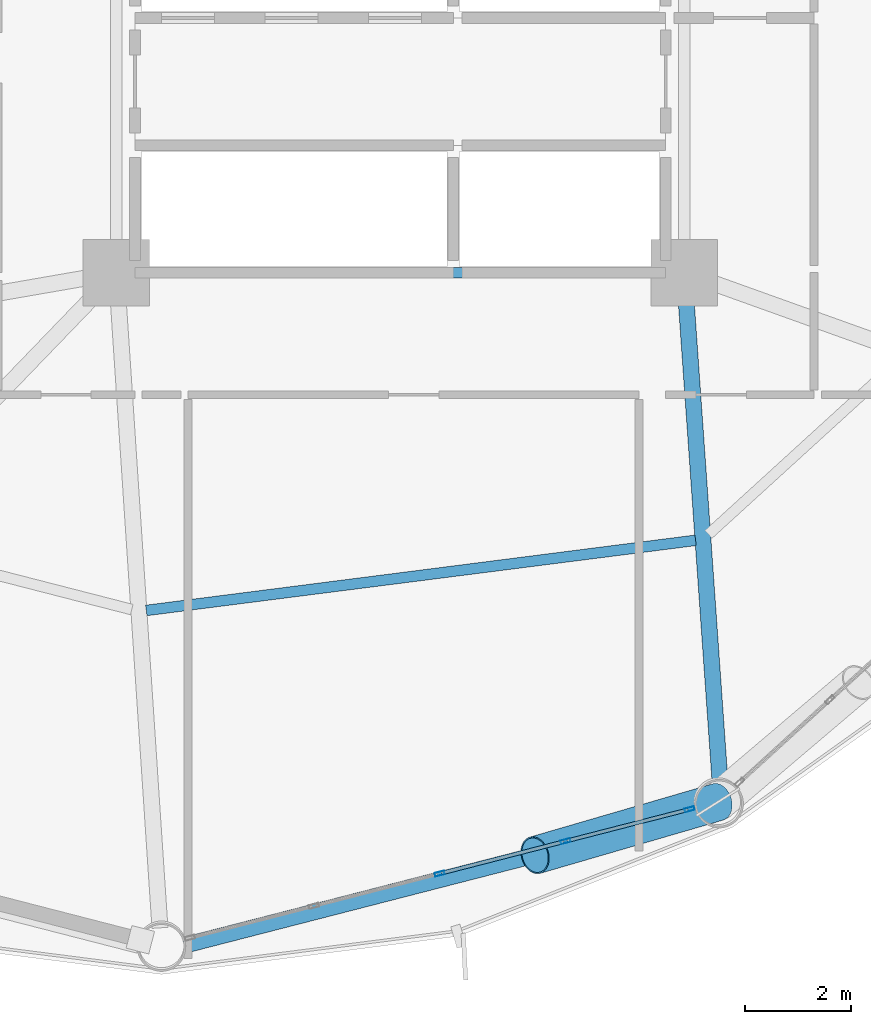
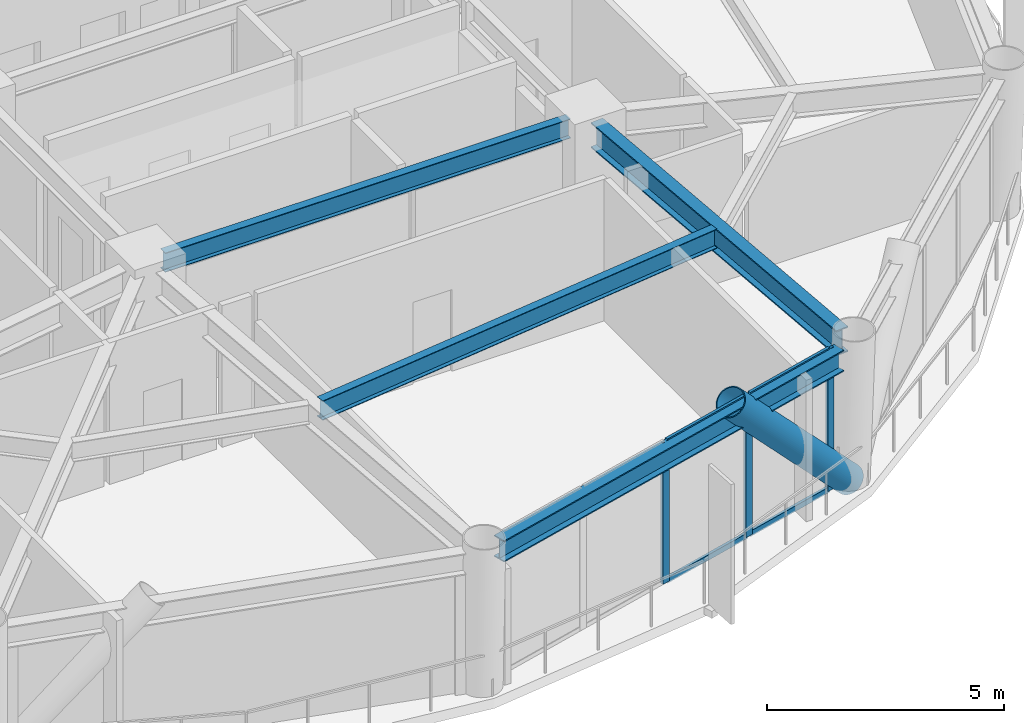
# One storey, part 8 of 26: 8 members, 4 beams, 1 element without a shape of its own.
"""IFC4 building model written with IfcOpenShell, lengths in metres."""

from ifc_helpers import new_model, si_unit, direction, frame, origin, origin_2d, place, context, subcontext, project, spatial, hollow_rectangle, hollow_circle, i_section, extrude, material, layer, layer_set, material_profile, profile_set, type_object, element, aggregate, save


model = new_model("IFC4")

# Units and contexts
model_context = context("Model", 3, precision=1e-05, world=origin(), true_north=direction((0.0, 1.0)))
body_context = subcontext(model_context, "Body", "Model", "MODEL_VIEW")
ifc_project = project(units=[si_unit("LENGTHUNIT", "METRE"), si_unit("AREAUNIT", "SQUARE_METRE"), si_unit("VOLUMEUNIT", "CUBIC_METRE"), si_unit("PLANEANGLEUNIT", "RADIAN"), si_unit("MASSUNIT", "GRAM", prefix="KILO")], contexts=[model_context])

# Site, building, storey
site_placement = place(None, origin())
site = spatial("IfcSite", under=ifc_project, at=site_placement, CompositionType="ELEMENT")
building_placement = place(site_placement, origin())
building = spatial("IfcBuilding", under=site, at=building_placement, Name="Varnakorn Sky Granary", CompositionType="ELEMENT")
storey_placement = place(building_placement, frame((0.0, 0.0, 51.0)))
storey = spatial("IfcBuildingStorey", under=building, at=storey_placement, Name="L12", CompositionType="ELEMENT", Elevation=51.0)

# Beams
ifc_material_1 = material(Name="Steel S355JR", Category="steel")
ifc_material_profile_1 = material_profile(ifc_material_1, i_section(OverallWidth=0.300048828125, OverallDepth=0.64990234375, WebThickness=0.01611328125, FlangeThickness=0.031005859375, at=origin_2d()), Name="HE 650 B")
ifc_profile_set_1 = profile_set([ifc_material_profile_1], Name="Steel S355JR")
beam_type_1 = type_object("IfcBeamType", Name="BM-RAD-Z1", PredefinedType="BEAM", material=ifc_profile_set_1)
beam_1_placement = place(storey_placement, frame((8.37939453125, -7.01904296875, 3.31494140625), z_axis=(0.070264488609, -0.997528396408, 0.0), x_axis=(0.997528396408, 0.070264488609, 0.0)))
element("IfcBeam", 1, at=beam_1_placement, inside=storey, type_object=beam_type_1, Name="Radial Floor Girder RG11 L12", PredefinedType="BEAM", context=body_context, shape_type="SweptSolid", body=[
    extrude(i_section(OverallWidth=0.300048828125, OverallDepth=0.64990234375, WebThickness=0.01611328125, FlangeThickness=0.031005859375, at=origin_2d()), origin(), (0.0, 0.0, 1.0), 9.2353515625),
])
ifc_material_profile_2 = material_profile(ifc_material_1, i_section(OverallWidth=0.199951171875, OverallDepth=0.5, WebThickness=0.01025390625, FlangeThickness=0.01611328125, at=origin_2d()), Name="IPE 500")
ifc_profile_set_2 = profile_set([ifc_material_profile_2], Name="Steel S355JR")
beam_type_2 = type_object("IfcBeamType", Name="BM-SEC-Z1", PredefinedType="BEAM", material=ifc_profile_set_2)
beam_2_placement = place(storey_placement, frame((-1.786865234375, -12.96484375, 3.389892578125), z_axis=(0.991946903309, 0.1266544157, 0.0), x_axis=(-0.1266544157, 0.991946903309, 0.0)))
element("IfcBeam", 2, at=beam_2_placement, inside=storey, type_object=beam_type_2, Name="Secondary Floor Chord Beam MSB10 L12", PredefinedType="BEAM", context=body_context, shape_type="SweptSolid", body=[
    extrude(i_section(OverallWidth=0.199951171875, OverallDepth=0.5, WebThickness=0.01025390625, FlangeThickness=0.01611328125, at=origin_2d()), origin(), (0.0, 0.0, 1.0), 10.43603515625),
])
beam_3_placement = place(storey_placement, frame((-1.929931640625, -6.60009765625, 3.389892578125), z_axis=(1.0, 0.0, 0.0), x_axis=(0.0, 1.0, 0.0)))
element("IfcBeam", 3, at=beam_3_placement, inside=storey, type_object=beam_type_2, Name="Core Spine Framing Beam 6 L12", PredefinedType="BEAM", context=body_context, shape_type="SweptSolid", body=[
    extrude(i_section(OverallWidth=0.199951171875, OverallDepth=0.5, WebThickness=0.01025390625, FlangeThickness=0.01611328125, at=origin_2d()), origin(), (0.0, 0.0, 1.0), 9.85986328125),
])
ifc_material_profile_3 = material_profile(ifc_material_1, i_section(OverallWidth=0.300048828125, OverallDepth=0.550048828125, WebThickness=0.014892578125, FlangeThickness=0.029052734375, at=origin_2d()), Name="HE 550 B")
ifc_profile_set_3 = profile_set([ifc_material_profile_3], Name="Steel S355JR")
beam_type_3 = type_object("IfcBeamType", Name="BM-SPD-Z1", PredefinedType="SPANDREL", material=ifc_profile_set_3)
beam_4_placement = place(storey_placement, frame((-1.072021484375, -19.277099609375, 3.364990234375), z_axis=(0.968511401947, 0.248969203515, 0.0), x_axis=(-0.248969203515, 0.968511401947, 0.0)))
element("IfcBeam", 4, at=beam_4_placement, inside=storey, type_object=beam_type_3, Name="Perimeter Spandrel Ring Beam RB10 L12", PredefinedType="SPANDREL", context=body_context, shape_type="SweptSolid", body=[
    extrude(i_section(OverallWidth=0.300048828125, OverallDepth=0.550048828125, WebThickness=0.014892578125, FlangeThickness=0.029052734375, at=origin_2d()), origin(), (0.0, 0.0, 1.0), 10.018798828125),
])

# Curtain wall, members
ifc_material_2 = material(Name="Anodised Bronze Aluminium Alloy 6063-T6", Category="aluminium")
ifc_layer = layer(ifc_material_2, 0.18994140625, Name="Anodised Bronze Aluminium Alloy 6063-T6")
ifc_layer_set = layer_set([ifc_layer], Name="Anodised Bronze Aluminium Alloy 6063-T6")
curtain_wall_type = type_object("IfcCurtainWallType", Name="CW-FRM-1", PredefinedType="USERDEFINED", material=ifc_layer_set)
curtain_wall_placement = place(storey_placement, origin())
curtain_wall = element("IfcCurtainWall", 5, at=curtain_wall_placement, inside=storey, type_object=curtain_wall_type, Name="Unitised Curtain Wall CW3 CW-L12-B10", ObjectType="CURTAIN WALL", PredefinedType="USERDEFINED")
ifc_material_profile_4 = material_profile(ifc_material_2, hollow_rectangle(XDim=0.070068359375, YDim=0.18505859375, WallThickness=0.00390625, at=origin_2d()), Name="ALU MULL 70x185")
ifc_profile_set_4 = profile_set([ifc_material_profile_4], Name="Anodised Bronze Aluminium Alloy 6063-T6")
member_type_1 = type_object("IfcMemberType", Name="CW-FRM-1-MULL", PredefinedType="MULLION", material=ifc_profile_set_4)
member_1_placement = place(storey_placement, frame((8.451904296875, -16.711669921875, 0.0), z_axis=(0.0, 0.0, 1.0), x_axis=(0.2492492625, -0.968439365755, 0.0)))
member_1 = element("IfcMember", 6, at=member_1_placement, type_object=member_type_1, Name="CW3 mullion 1", PredefinedType="MULLION", context=body_context, shape_type="SweptSolid", body=[
    extrude(hollow_rectangle(XDim=0.070068359375, YDim=0.18505859375, WallThickness=0.00390625, at=origin_2d()), origin(), (0.0, 0.0, 1.0), 3.639892578125),
])
member_2_placement = place(storey_placement, frame((6.114501953125, -17.313232421875, 0.0), z_axis=(0.0, 0.0, 1.0), x_axis=(0.2492492625, -0.968439365755, 0.0)))
member_2 = element("IfcMember", 7, at=member_2_placement, type_object=member_type_1, Name="CW3 mullion 2", PredefinedType="MULLION", context=body_context, shape_type="SweptSolid", body=[
    extrude(hollow_rectangle(XDim=0.070068359375, YDim=0.18505859375, WallThickness=0.00390625, at=origin_2d()), origin(), (0.0, 0.0, 1.0), 3.639892578125),
])
member_3_placement = place(storey_placement, frame((3.7431640625, -17.923583984375, 0.0), z_axis=(0.0, 0.0, 1.0), x_axis=(0.2492492625, -0.968439365755, 0.0)))
member_3 = element("IfcMember", 8, at=member_3_placement, type_object=member_type_1, Name="CW3 mullion 3", PredefinedType="MULLION", context=body_context, shape_type="SweptSolid", body=[
    extrude(hollow_rectangle(XDim=0.070068359375, YDim=0.18505859375, WallThickness=0.00390625, at=origin_2d()), origin(), (0.0, 0.0, 1.0), 3.639892578125),
])
ifc_material_profile_5 = material_profile(ifc_material_2, hollow_rectangle(XDim=0.070068359375, YDim=0.139892578125, WallThickness=0.00341796875, at=origin_2d()), Name="ALU TRAN 70x140")
ifc_profile_set_5 = profile_set([ifc_material_profile_5], Name="Anodised Bronze Aluminium Alloy 6063-T6")
member_type_2 = type_object("IfcMemberType", Name="CW-FRM-1-TRAN", PredefinedType="USERDEFINED", material=ifc_profile_set_5)
member_4_placement = place(storey_placement, frame((8.41796875, -16.720458984375, 0.034912109375), z_axis=(-0.96845271594, -0.249197385599, 0.0), x_axis=(0.249197385599, -0.96845271594, 0.0)))
member_4 = element("IfcMember", 9, at=member_4_placement, type_object=member_type_2, Name="CW3 transom 1.1", ObjectType="TRANSOM", PredefinedType="USERDEFINED", context=body_context, shape_type="SweptSolid", body=[
    extrude(hollow_rectangle(XDim=0.070068359375, YDim=0.139892578125, WallThickness=0.00341796875, at=origin_2d()), origin(), (0.0, 0.0, 1.0), 2.343505859375),
])
member_5_placement = place(storey_placement, frame((8.41796875, -16.720458984375, 3.60498046875), z_axis=(-0.96845271594, -0.249197385599, 0.0), x_axis=(0.249197385599, -0.96845271594, 0.0)))
member_5 = element("IfcMember", 10, at=member_5_placement, type_object=member_type_2, Name="CW3 transom 1.2", ObjectType="TRANSOM", PredefinedType="USERDEFINED", context=body_context, shape_type="SweptSolid", body=[
    extrude(hollow_rectangle(XDim=0.070068359375, YDim=0.139892578125, WallThickness=0.00341796875, at=origin_2d()), origin(), (0.0, 0.0, 1.0), 2.343505859375),
])
member_6_placement = place(storey_placement, frame((6.08056640625, -17.322021484375, 0.034912109375), z_axis=(-0.968446938458, -0.249219837475, 0.0), x_axis=(0.249219837475, -0.968446938458, 0.0)))
member_6 = element("IfcMember", 11, at=member_6_placement, type_object=member_type_2, Name="CW3 transom 2.1", ObjectType="TRANSOM", PredefinedType="USERDEFINED", context=body_context, shape_type="SweptSolid", body=[
    extrude(hollow_rectangle(XDim=0.070068359375, YDim=0.139892578125, WallThickness=0.00341796875, at=origin_2d()), origin(), (0.0, 0.0, 1.0), 2.37841796875),
])
member_7_placement = place(storey_placement, frame((6.08056640625, -17.322021484375, 3.60498046875), z_axis=(-0.968446938458, -0.249219837475, 0.0), x_axis=(0.249219837475, -0.968446938458, 0.0)))
member_7 = element("IfcMember", 12, at=member_7_placement, type_object=member_type_2, Name="CW3 transom 2.2", ObjectType="TRANSOM", PredefinedType="USERDEFINED", context=body_context, shape_type="SweptSolid", body=[
    extrude(hollow_rectangle(XDim=0.070068359375, YDim=0.139892578125, WallThickness=0.00341796875, at=origin_2d()), origin(), (0.0, 0.0, 1.0), 2.37841796875),
])
aggregate(curtain_wall, [member_1, member_2, member_3, member_4, member_5, member_6, member_7])

# Member
ifc_material_3 = material(Name="Steel S460M", Category="steel")
ifc_material_profile_6 = material_profile(ifc_material_3, hollow_circle(Radius=0.35546875, WallThickness=0.02490234375, at=origin_2d()), Name="CHS 711x25")
ifc_profile_set_6 = profile_set([ifc_material_profile_6], Name="Steel S460M")
member_type_3 = type_object("IfcMemberType", Name="MB-DIAG-T0", PredefinedType="BRACE", material=ifc_profile_set_6)
member_8_placement = place(storey_placement, frame((8.986572265625, -16.573974609375, 0.0), z_axis=(-0.660264400356, -0.192214668187, 0.726019588549), x_axis=(0.279514221487, -0.960141552057, 0.0)))
element("IfcMember", 13, at=member_8_placement, inside=storey, type_object=member_type_3, Name="Perimeter CHS Diagrid Brace DG10 L12", PredefinedType="BRACE", context=body_context, shape_type="SweptSolid", body=[
    extrude(hollow_circle(Radius=0.35546875, WallThickness=0.02490234375, at=origin_2d()), origin(), (0.0, 0.0, 1.0), 5.22021484375),
])

save(model, "model.ifc")
